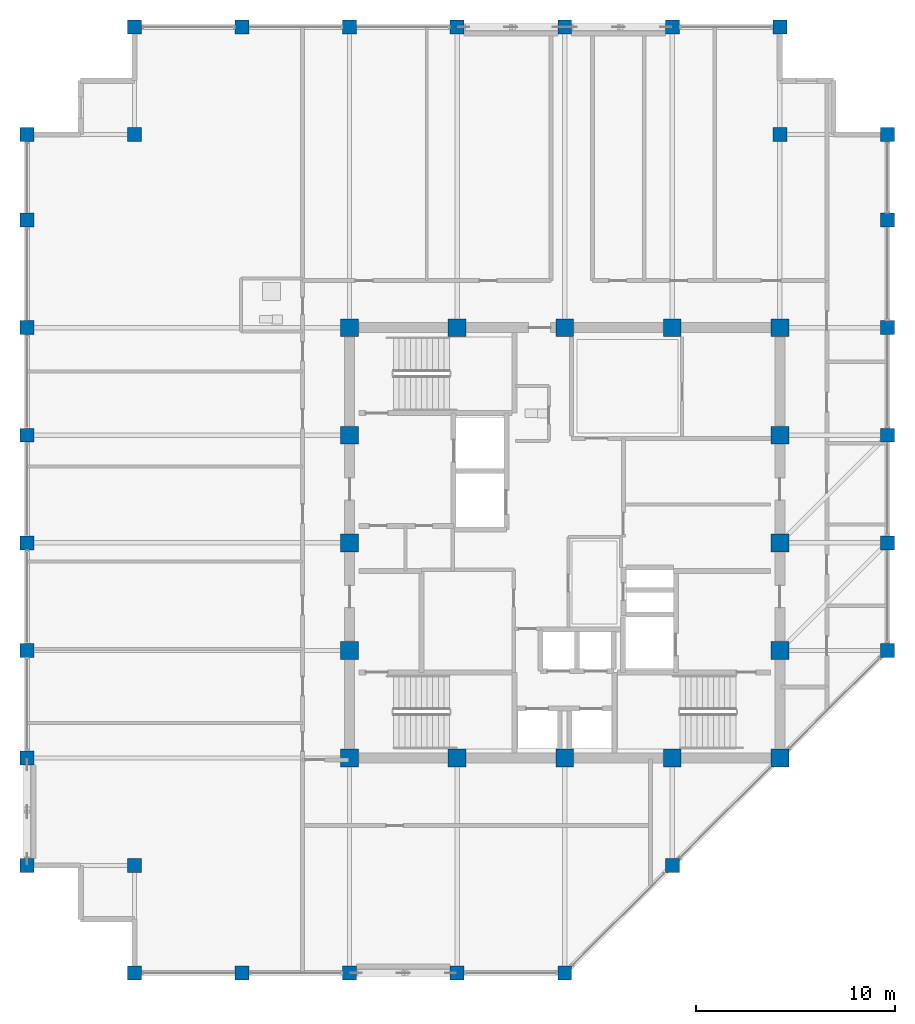
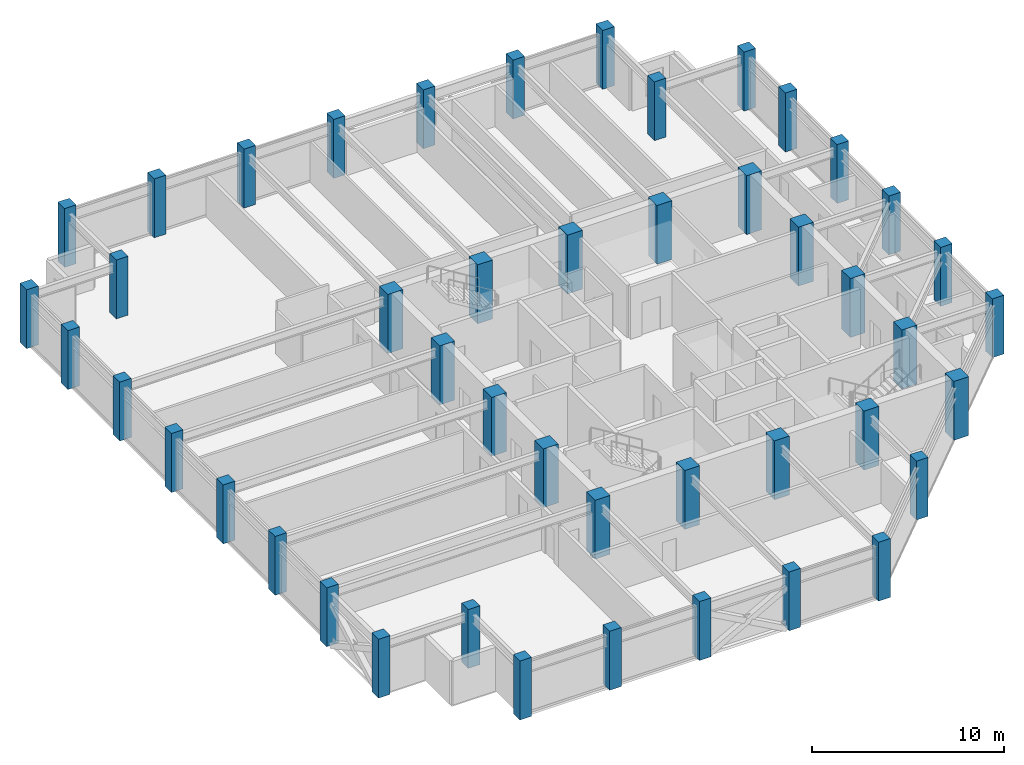
# One storey, part 1 of 31: 46 columns.
"""IFC4 building model written with IfcOpenShell, lengths in metres."""

from ifc_helpers import new_model, si_unit, direction, frame, origin, origin_2d, place, context, subcontext, project, spatial, rectangle, extrude, material, material_profile, profile_set, type_object, element, save


model = new_model("IFC4")

# Units and contexts
model_context = context("Model", 3, precision=1e-05, world=origin(), true_north=direction((0.0, 1.0)))
body_context = subcontext(model_context, "Body", "Model", "MODEL_VIEW")
ifc_project = project(units=[si_unit("LENGTHUNIT", "METRE"), si_unit("AREAUNIT", "SQUARE_METRE"), si_unit("VOLUMEUNIT", "CUBIC_METRE"), si_unit("PLANEANGLEUNIT", "RADIAN"), si_unit("MASSUNIT", "GRAM", prefix="KILO")], contexts=[model_context])

# Site, building, storey
site_placement = place(None, origin())
site = spatial("IfcSite", under=ifc_project, at=site_placement, CompositionType="ELEMENT")
building_placement = place(site_placement, origin())
building = spatial("IfcBuilding", under=site, at=building_placement, Name="Surkhivell Harbour Commons", CompositionType="ELEMENT")
storey_placement = place(building_placement, frame((0.0, 0.0, 333.75)))
storey = spatial("IfcBuildingStorey", under=building, at=storey_placement, Name="L87", CompositionType="ELEMENT", Elevation=333.75)

# Columns
ifc_material_1 = material(Name="Concrete C60/75", Category="concrete")
ifc_material_profile_1 = material_profile(ifc_material_1, rectangle(XDim=0.89990234375, YDim=0.89990234375, at=origin_2d()), Name="RC-COL-900x900")
ifc_profile_set_1 = profile_set([ifc_material_profile_1], Name="Concrete C60/75")
column_type_1 = type_object("IfcColumnType", Name="COL-TUBE-Z3A", PredefinedType="COLUMN", material=ifc_profile_set_1)
for number, where, z_axis, x_axis, name in (
    (1, (-10.800048828125, -10.800048828125, 0.0), (0.0, 0.0, 1.0), (1.0, 0.0, 0.0), "L87 Column CT-3A (-10.8,-10.8)"),
    (2, (-10.800048828125, -5.39990234375, 0.0), (0.0, 0.0, 1.0), (1.0, 0.0, 0.0), "L87 Column CT-3A (-10.8,-5.4)"),
    (3, (-10.800048828125, 0.0, 0.0), (0.0, 0.0, 1.0), (1.0, 0.0, 0.0), "L87 Column CT-3A (-10.8,0.0)"),
    (4, (-10.800048828125, 5.39990234375, 0.0), (0.0, 0.0, 1.0), (1.0, 0.0, 0.0), "L87 Column CT-3A (-10.8,5.4)"),
    (5, (-10.800048828125, 10.800048828125, 0.0), (0.0, 0.0, 1.0), (1.0, 0.0, 0.0), "L87 Column CT-3A (-10.8,10.8)"),
    (6, (-5.39990234375, -10.800048828125, 0.0), (0.0, 0.0, 1.0), (1.0, 0.0, 0.0), "L87 Column CT-3A (-5.4,-10.8)"),
    (7, (-5.39990234375, 10.800048828125, 0.0), (0.0, 0.0, 1.0), (1.0, 0.0, 0.0), "L87 Column CT-3A (-5.4,10.8)"),
    (8, (0.0, -10.800048828125, 0.0), (0.0, 0.0, 1.0), (1.0, 0.0, 0.0), "L87 Column CT-3A (0.0,-10.8)"),
    (9, (0.0, 10.800048828125, 0.0), (0.0, 0.0, 1.0), (1.0, 0.0, 0.0), "L87 Column CT-3A (0.0,10.8)"),
    (10, (5.39990234375, -10.800048828125, 0.0), (0.0, 0.0, 1.0), (1.0, 0.0, 0.0), "L87 Column CT-3A (5.4,-10.8)"),
    (11, (5.39990234375, 10.800048828125, 0.0), (0.0, 0.0, 1.0), (1.0, 0.0, 0.0), "L87 Column CT-3A (5.4,10.8)"),
    (12, (10.800048828125, -10.800048828125, 0.0), (0.0, 0.0, 1.0), (1.0, 0.0, 0.0), "L87 Column CT-3A (10.8,-10.8)"),
    (13, (10.800048828125, -5.39990234375, 0.0), (0.0, 0.0, 1.0), (1.0, 0.0, 0.0), "L87 Column CT-3A (10.8,-5.4)"),
    (14, (10.800048828125, 0.0, 0.0), (0.0, 0.0, 1.0), (1.0, 0.0, 0.0), "L87 Column CT-3A (10.8,0.0)"),
    (15, (10.800048828125, 5.39990234375, 0.0), (0.0, 0.0, 1.0), (1.0, 0.0, 0.0), "L87 Column CT-3A (10.8,5.4)"),
    (16, (10.800048828125, 10.800048828125, 0.0), (0.0, 0.0, 1.0), (1.0, 0.0, 0.0), "L87 Column CT-3A (10.8,10.8)"),
):
    element("IfcColumn", number, at=place(storey_placement, frame(where, z_axis=z_axis, x_axis=x_axis)), inside=storey, type_object=column_type_1, Name=name, PredefinedType="COLUMN", context=body_context, shape_type="SweptSolid", body=[
        extrude(rectangle(XDim=0.89990234375, YDim=0.89990234375, at=origin_2d()), origin(), (0.0, 0.0, 1.0), 3.75),
    ])
ifc_material_2 = material(Name="Concrete C50/60", Category="concrete")
ifc_material_profile_2 = material_profile(ifc_material_2, rectangle(XDim=0.699951171875, YDim=0.699951171875, at=origin_2d()), Name="RC-COL-700x700")
ifc_profile_set_2 = profile_set([ifc_material_profile_2], Name="Concrete C50/60")
column_type_2 = type_object("IfcColumnType", Name="COL-TUBE-Z4", PredefinedType="COLUMN", material=ifc_profile_set_2)
for number, where, z_axis, x_axis, name in (
    (17, (-27.0, -16.199951171875, 0.0), (0.0, 0.0, 1.0), (1.0, 0.0, 0.0), "L87 Column CT-4 (-27.0,-16.2)"),
    (18, (-27.0, -10.800048828125, 0.0), (0.0, 0.0, 1.0), (1.0, 0.0, 0.0), "L87 Column CT-4 (-27.0,-10.8)"),
    (19, (-27.0, -5.39990234375, 0.0), (0.0, 0.0, 1.0), (1.0, 0.0, 0.0), "L87 Column CT-4 (-27.0,-5.4)"),
    (20, (-27.0, 0.0, 0.0), (0.0, 0.0, 1.0), (1.0, 0.0, 0.0), "L87 Column CT-4 (-27.0,0.0)"),
    (21, (-27.0, 5.39990234375, 0.0), (0.0, 0.0, 1.0), (1.0, 0.0, 0.0), "L87 Column CT-4 (-27.0,5.4)"),
    (22, (-27.0, 10.800048828125, 0.0), (0.0, 0.0, 1.0), (1.0, 0.0, 0.0), "L87 Column CT-4 (-27.0,10.8)"),
    (23, (-27.0, 16.199951171875, 0.0), (0.0, 0.0, 1.0), (1.0, 0.0, 0.0), "L87 Column CT-4 (-27.0,16.2)"),
    (24, (-27.0, 20.5, 0.0), (0.0, 0.0, 1.0), (1.0, 0.0, 0.0), "L87 Column CT-4 (-27.0,20.5)"),
    (25, (-21.60009765625, -21.60009765625, 0.0), (0.0, 0.0, 1.0), (1.0, 0.0, 0.0), "L87 Column CT-4 (-21.6,-21.6)"),
    (26, (-21.60009765625, -16.199951171875, 0.0), (0.0, 0.0, 1.0), (1.0, 0.0, 0.0), "L87 Column CT-4 (-21.6,-16.2)"),
    (27, (-21.60009765625, 20.5, 0.0), (0.0, 0.0, 1.0), (1.0, 0.0, 0.0), "L87 Column CT-4 (-21.6,20.5)"),
    (28, (-21.60009765625, 25.89990234375, 0.0), (0.0, 0.0, 1.0), (1.0, 0.0, 0.0), "L87 Column CT-4 (-21.6,25.9)"),
    (29, (-16.199951171875, -21.60009765625, 0.0), (0.0, 0.0, 1.0), (1.0, 0.0, 0.0), "L87 Column CT-4 (-16.2,-21.6)"),
    (30, (-16.199951171875, 25.89990234375, 0.0), (0.0, 0.0, 1.0), (1.0, 0.0, 0.0), "L87 Column CT-4 (-16.2,25.9)"),
    (31, (-10.800048828125, -21.60009765625, 0.0), (0.0, 0.0, 1.0), (1.0, 0.0, 0.0), "L87 Column CT-4 (-10.8,-21.6)"),
    (32, (-10.800048828125, 25.89990234375, 0.0), (0.0, 0.0, 1.0), (1.0, 0.0, 0.0), "L87 Column CT-4 (-10.8,25.9)"),
    (33, (-5.39990234375, -21.60009765625, 0.0), (0.0, 0.0, 1.0), (1.0, 0.0, 0.0), "L87 Column CT-4 (-5.4,-21.6)"),
    (34, (-5.39990234375, 25.89990234375, 0.0), (0.0, 0.0, 1.0), (1.0, 0.0, 0.0), "L87 Column CT-4 (-5.4,25.9)"),
    (35, (0.0, -21.60009765625, 0.0), (0.0, 0.0, 1.0), (1.0, 0.0, 0.0), "L87 Column CT-4 (-0.0,-21.6)"),
    (36, (0.0, 25.89990234375, 0.0), (0.0, 0.0, 1.0), (1.0, 0.0, 0.0), "L87 Column CT-4 (-0.0,25.9)"),
    (37, (5.39990234375, -16.199951171875, 0.0), (0.0, 0.0, 1.0), (1.0, 0.0, 0.0), "L87 Column CT-4 (5.4,-16.2)"),
    (38, (5.39990234375, 25.89990234375, 0.0), (0.0, 0.0, 1.0), (1.0, 0.0, 0.0), "L87 Column CT-4 (5.4,25.9)"),
    (39, (10.800048828125, 20.5, 0.0), (0.0, 0.0, 1.0), (1.0, 0.0, 0.0), "L87 Column CT-4 (10.8,20.5)"),
    (40, (10.800048828125, 25.89990234375, 0.0), (0.0, 0.0, 1.0), (1.0, 0.0, 0.0), "L87 Column CT-4 (10.8,25.9)"),
    (41, (16.199951171875, -5.39990234375, 0.0), (0.0, 0.0, 1.0), (1.0, 0.0, 0.0), "L87 Column CT-4 (16.2,-5.4)"),
    (42, (16.199951171875, 0.0, 0.0), (0.0, 0.0, 1.0), (1.0, 0.0, 0.0), "L87 Column CT-4 (16.2,0.0)"),
    (43, (16.199951171875, 5.39990234375, 0.0), (0.0, 0.0, 1.0), (1.0, 0.0, 0.0), "L87 Column CT-4 (16.2,5.4)"),
    (44, (16.199951171875, 10.800048828125, 0.0), (0.0, 0.0, 1.0), (1.0, 0.0, 0.0), "L87 Column CT-4 (16.2,10.8)"),
    (45, (16.199951171875, 16.199951171875, 0.0), (0.0, 0.0, 1.0), (1.0, 0.0, 0.0), "L87 Column CT-4 (16.2,16.2)"),
    (46, (16.199951171875, 20.5, 0.0), (0.0, 0.0, 1.0), (1.0, 0.0, 0.0), "L87 Column CT-4 (16.2,20.5)"),
):
    element("IfcColumn", number, at=place(storey_placement, frame(where, z_axis=z_axis, x_axis=x_axis)), inside=storey, type_object=column_type_2, Name=name, PredefinedType="COLUMN", context=body_context, shape_type="SweptSolid", body=[
        extrude(rectangle(XDim=0.699951171875, YDim=0.699951171875, at=origin_2d()), origin(), (0.0, 0.0, 1.0), 3.75),
    ])

save(model, "model.ifc")
